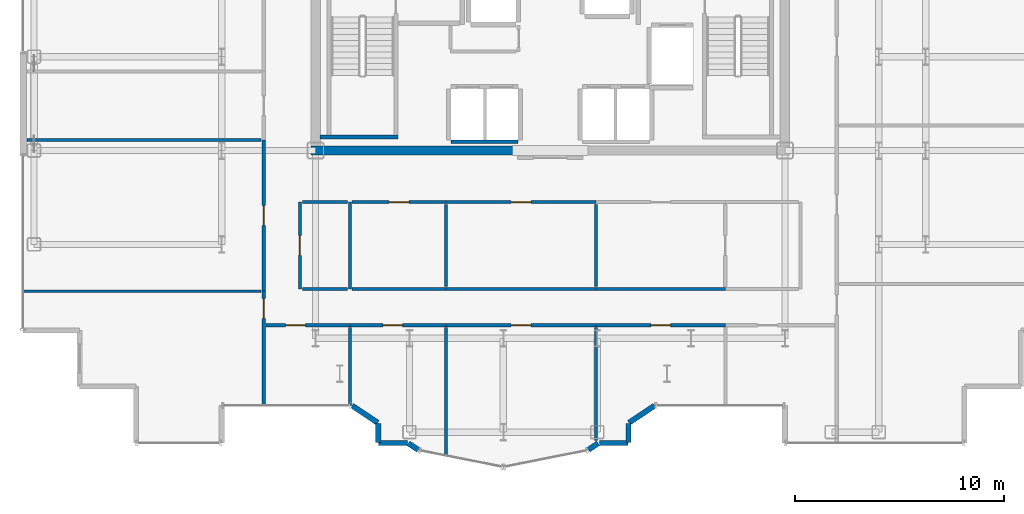
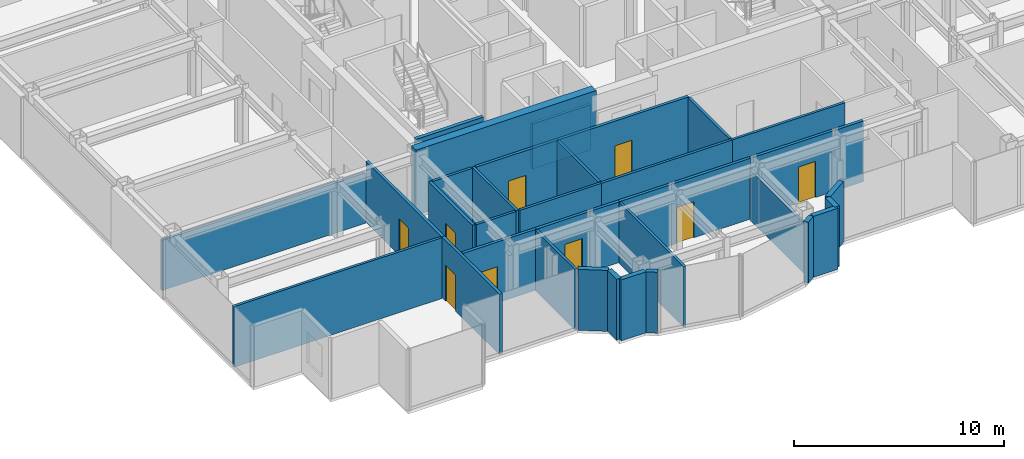
# One storey, part 15 of 21: 33 walls, 9 doors, 9 openings.
"""IFC4 building model written with IfcOpenShell, lengths in metres."""

from ifc_helpers import new_model, si_unit, direction, frame, frame_2d, origin, place, context, subcontext, project, spatial, rectangle, extrude, source, transform, mapped, material, layer, layer_set, type_object, element, fill, save


model = new_model("IFC4")

# Units and contexts
model_context = context("Model", 3, precision=1e-05, world=origin(), true_north=direction((0.0, 1.0)))
body_context = subcontext(model_context, "Body", "Model", "MODEL_VIEW")
ifc_project = project(units=[si_unit("LENGTHUNIT", "METRE"), si_unit("AREAUNIT", "SQUARE_METRE"), si_unit("VOLUMEUNIT", "CUBIC_METRE"), si_unit("PLANEANGLEUNIT", "RADIAN"), si_unit("MASSUNIT", "GRAM", prefix="KILO")], contexts=[model_context])

# Site, building, storey
site_placement = place(None, origin())
site = spatial("IfcSite", under=ifc_project, at=site_placement, CompositionType="ELEMENT")
building_placement = place(site_placement, origin())
building = spatial("IfcBuilding", under=site, at=building_placement, Name="Nefas-Gora Pilgrimage Tower", CompositionType="ELEMENT")
storey_placement = place(building_placement, frame((0.0, 0.0, 229.39990234375)))
storey = spatial("IfcBuildingStorey", under=building, at=storey_placement, Name="L57", CompositionType="ELEMENT", Elevation=229.39990234375)

# Walls
ifc_material_1 = material(Name="Concrete C50/60", Category="concrete")
ifc_layer_1 = layer(ifc_material_1, 0.449951171875)
ifc_layer_set_1 = layer_set([ifc_layer_1], Name="Concrete C50/60")
wall_type_1 = type_object("IfcWallType", Name="SW-CORE-450", PredefinedType="SHEAR", material=ifc_layer_set_1)
shared_shape_1 = source(origin(), body_context, "Body", "SweptSolid", [
    extrude(rectangle(XDim=9.925048828125, YDim=0.449951171875, at=frame_2d((4.96240234375, 0.0))), origin(), (0.0, 0.0, 1.0), 3.800048828125),
])
wall_1_placement = place(storey_placement, frame((-11.47509765625, -9.0, 0.0), z_axis=(0.0, 0.0, 1.0), x_axis=(1.0, 0.0, 0.0)))
element("IfcWall", 1, at=wall_1_placement, inside=storey, type_object=wall_type_1, Name="L57 Core Shear Wall S-West", PredefinedType="SHEAR", context=body_context, shape_type="MappedRepresentation", body=[
    mapped(shared_shape_1, transform((0.0, 0.0, 0.0), x_axis=(1.0, 0.0, 0.0), y_axis=(0.0, 1.0, 0.0), z_axis=(0.0, 0.0, 1.0), scale=1.0)),
])
ifc_material_2 = material(Name="Precast concrete C40/50", Category="concrete")
ifc_layer_2 = layer(ifc_material_2, 0.260009765625)
ifc_layer_set_2 = layer_set([ifc_layer_2], Name="Precast concrete C40/50")
wall_type_2 = type_object("IfcWallType", Name="EW-PORTAL-260", PredefinedType="SOLIDWALL", material=ifc_layer_set_2)
shared_shape_2 = source(origin(), body_context, "Body", "SweptSolid", [
    extrude(rectangle(XDim=1.468994140625, YDim=0.260009765625, at=frame_2d((0.734375, 0.0))), origin(), (0.0, 0.0, 1.0), 3.550048828125),
])
for number, where, z_axis, x_axis, name in (
    (2, (-9.49462890625, -21.235595703125, 0.0), (0.0, 0.0, 1.0), (0.831461760506, -0.555581983884, 0.0), "L57 Lobe Shoulder Precast Spandrel Pier 33"),
    (3, (3.773193359375, -22.0517578125, 0.0), (0.0, 0.0, 1.0), (0.831461760506, 0.555581983884, 0.0), "L57 Lobe Shoulder Precast Spandrel Pier 40"),
):
    element("IfcWall", number, at=place(storey_placement, frame(where, z_axis=z_axis, x_axis=x_axis)), inside=storey, type_object=wall_type_2, Name=name, PredefinedType="SOLIDWALL", context=body_context, shape_type="MappedRepresentation", body=[
        mapped(shared_shape_2, transform((0.0, 0.0, 0.0), x_axis=(1.0, 0.0, 0.0), y_axis=(0.0, 1.0, 0.0), z_axis=(0.0, 0.0, 1.0), scale=1.0)),
    ])
shared_shape_3 = source(origin(), body_context, "Body", "SweptSolid", [
    extrude(rectangle(XDim=0.896728515625, YDim=0.260009765625, at=frame_2d((0.4482421875, 0.0))), origin(), (0.0, 0.0, 1.0), 3.550048828125),
])
for number, where, z_axis, x_axis, name in (
    (4, (-8.25, -22.09521484375, 0.0), (0.0, 0.0, 1.0), (0.0, -1.0, 0.0), "L57 Lobe Shoulder Precast Spandrel Pier 34"),
    (5, (3.75, -22.991943359375, 0.0), (0.0, 0.0, 1.0), (0.0, 1.0, 0.0), "L57 Lobe Shoulder Precast Spandrel Pier 39"),
):
    element("IfcWall", number, at=place(storey_placement, frame(where, z_axis=z_axis, x_axis=x_axis)), inside=storey, type_object=wall_type_2, Name=name, PredefinedType="SOLIDWALL", context=body_context, shape_type="MappedRepresentation", body=[
        mapped(shared_shape_3, transform((0.0, 0.0, 0.0), x_axis=(1.0, 0.0, 0.0), y_axis=(0.0, 1.0, 0.0), z_axis=(0.0, 0.0, 1.0), scale=1.0)),
    ])
shared_shape_4 = source(origin(), body_context, "Body", "SweptSolid", [
    extrude(rectangle(XDim=1.369873046875, YDim=0.260009765625, at=frame_2d((0.68505859375, 0.0))), origin(), (0.0, 0.0, 1.0), 3.550048828125),
])
for number, where, z_axis, x_axis, name in (
    (6, (-8.221923828125, -23.02001953125, 0.0), (0.0, 0.0, 1.0), (1.0, 0.0, 0.0), "L57 Lobe Shoulder Precast Spandrel Pier 35"),
    (7, (2.35205078125, -23.02001953125, 0.0), (0.0, 0.0, 1.0), (1.0, 0.0, 0.0), "L57 Lobe Shoulder Precast Spandrel Pier 38"),
):
    element("IfcWall", number, at=place(storey_placement, frame(where, z_axis=z_axis, x_axis=x_axis)), inside=storey, type_object=wall_type_2, Name=name, PredefinedType="SOLIDWALL", context=body_context, shape_type="MappedRepresentation", body=[
        mapped(shared_shape_4, transform((0.0, 0.0, 0.0), x_axis=(1.0, 0.0, 0.0), y_axis=(0.0, 1.0, 0.0), z_axis=(0.0, 0.0, 1.0), scale=1.0)),
    ])
shared_shape_5 = source(origin(), body_context, "Body", "SweptSolid", [
    extrude(rectangle(XDim=0.5654296875, YDim=0.260009765625, at=frame_2d((0.28271484375, 0.0))), origin(), (0.0, 0.0, 1.0), 3.550048828125),
])
for number, where, z_axis, x_axis, name in (
    (8, (-6.80078125, -23.03564453125, 0.0), (0.0, 0.0, 1.0), (0.831651492666, -0.555297933317, 0.0), "L57 Lobe Shoulder Precast Spandrel Pier 36"),
    (9, (1.83056640625, -23.349609375, 0.0), (0.0, 0.0, 1.0), (0.831651492666, 0.555297933317, 0.0), "L57 Lobe Shoulder Precast Spandrel Pier 37"),
):
    element("IfcWall", number, at=place(storey_placement, frame(where, z_axis=z_axis, x_axis=x_axis)), inside=storey, type_object=wall_type_2, Name=name, PredefinedType="SOLIDWALL", context=body_context, shape_type="MappedRepresentation", body=[
        mapped(shared_shape_5, transform((0.0, 0.0, 0.0), x_axis=(1.0, 0.0, 0.0), y_axis=(0.0, 1.0, 0.0), z_axis=(0.0, 0.0, 1.0), scale=1.0)),
    ])
ifc_material_3 = material(Name="Concrete C45/55", Category="concrete")
ifc_layer_3 = layer(ifc_material_3, 0.199951171875)
ifc_layer_set_3 = layer_set([ifc_layer_3], Name="Concrete C45/55")
wall_type_3 = type_object("IfcWallType", Name="IW-STAIR-200", PredefinedType="SOLIDWALL", material=ifc_layer_set_3)
shared_shape_6 = source(origin(), body_context, "Body", "SweptSolid", [
    extrude(rectangle(XDim=3.72998046875, YDim=0.199951171875, at=frame_2d((1.864990234375, 0.0))), origin(), (0.0, 0.0, 1.0), 3.800048828125),
])
wall_2_placement = place(storey_placement, frame((-11.030029296875, -8.35009765625, 0.0), z_axis=(0.0, 0.0, 1.0), x_axis=(1.0, 0.0, 0.0)))
element("IfcWall", 10, at=wall_2_placement, inside=storey, type_object=wall_type_3, Name="L57 Stairwell Shear Wall ST-03-far", PredefinedType="SOLIDWALL", context=body_context, shape_type="MappedRepresentation", body=[
    mapped(shared_shape_6, transform((0.0, 0.0, 0.0), x_axis=(1.0, 0.0, 0.0), y_axis=(0.0, 1.0, 0.0), z_axis=(0.0, 0.0, 1.0), scale=1.0)),
])
ifc_material_4 = material(Name="Gypsum acoustic stud partition")
ifc_layer_4 = layer(ifc_material_4, 0.159912109375)
ifc_layer_set_4 = layer_set([ifc_layer_4], Name="Gypsum acoustic stud partition")
wall_type_4 = type_object("IfcWallType", Name="IW-CORR-160", PredefinedType="PARTITIONING", material=ifc_layer_set_4)
shared_shape_7 = source(origin(), body_context, "Body", "SweptSolid", [
    extrude(rectangle(XDim=3.199951171875, YDim=0.159912109375, at=frame_2d((1.60009765625, 0.0))), origin(), (0.0, 0.0, 1.0), 2.625),
])
wall_3_placement = place(storey_placement, frame((-4.75, -8.580078125, 0.0), z_axis=(0.0, 0.0, 1.0), x_axis=(1.0, 0.0, 0.0)))
element("IfcWall", 11, at=wall_3_placement, inside=storey, type_object=wall_type_4, Name="L57 Hoistway Wall PL2-W-S", PredefinedType="PARTITIONING", context=body_context, shape_type="MappedRepresentation", body=[
    mapped(shared_shape_7, transform((0.0, 0.0, 0.0), x_axis=(1.0, 0.0, 0.0), y_axis=(0.0, 1.0, 0.0), z_axis=(0.0, 0.0, 1.0), scale=1.0)),
])

# Wall, opening, door
shared_shape_8 = source(origin(), body_context, "Body", "SweptSolid", [
    extrude(rectangle(XDim=4.60986328125, YDim=0.159912109375, at=frame_2d((2.304931640625, 0.0))), origin(), (0.0, 0.0, 1.0), 3.53515625),
])
wall_4_placement = place(storey_placement, frame((-9.60498046875, -17.3701171875, 0.0), z_axis=(0.0, 0.0, 1.0), x_axis=(1.0, 0.0, 0.0)))
wall_4 = element("IfcWall", 12, at=wall_4_placement, inside=storey, type_object=wall_type_4, Name="L57 Pilgrim Contemplative Lounge Partition Wall 74", PredefinedType="PARTITIONING", context=body_context, shape_type="MappedRepresentation", body=[
    mapped(shared_shape_8, transform((0.0, 0.0, 0.0), x_axis=(1.0, 0.0, 0.0), y_axis=(0.0, 1.0, 0.0), z_axis=(0.0, 0.0, 1.0), scale=1.0)),
])
opening_1_placement = place(wall_4_placement, frame((1.58203125, 0.0, 0.0)))
opening_1 = element("IfcOpeningElement", 13, at=opening_1_placement, cuts=wall_4, Name="Opening ID-GR1", PredefinedType="OPENING", context=body_context, shape_type="SweptSolid", body=[
    extrude(rectangle(XDim=0.949951171875, YDim=2.10009765625, at=frame_2d((0.47509765625, 1.050048828125))), frame((0.0, 0.08984375, 0.0), z_axis=(0.0, -1.0, 0.0), x_axis=(1.0, 0.0, 0.0)), (0.0, 0.0, 1.0), 0.179931640625),
])
ifc_material_5 = material(Name="Solid core oak fire-rated guest entrance door")
door_type = type_object("IfcDoorType", Name="DR-INT-GUEST-950", OperationType="NOTDEFINED", PredefinedType="DOOR", material=ifc_material_5)
shared_shape_9 = source(origin(), body_context, "Body", "SweptSolid", [
    extrude(rectangle(XDim=0.949951171875, YDim=2.10009765625, at=frame_2d((0.47509765625, 1.050048828125))), frame((0.0, 0.02490234375, 0.0), z_axis=(0.0, -1.0, 0.0), x_axis=(1.0, 0.0, 0.0)), (0.0, 0.0, 1.0), 0.050048828125),
])
door_1_placement = place(opening_1_placement, origin())
door_1 = element("IfcDoor", 14, at=door_1_placement, inside=storey, type_object=door_type, Name="L57 Pilgrim Contemplative Lounge Door 33", OperationType="SINGLE_SWING_LEFT", OverallHeight=2.10009765625, OverallWidth=0.949951171875, PredefinedType="DOOR", context=body_context, shape_type="MappedRepresentation", body=[
    mapped(shared_shape_9, transform((0.0, 0.0, 0.0), x_axis=(1.0, 0.0, 0.0), y_axis=(0.0, 1.0, 0.0), z_axis=(0.0, 0.0, 1.0), scale=1.0)),
])
fill(opening_1, door_1)

shared_shape_10 = source(origin(), body_context, "Body", "SweptSolid", [
    extrude(rectangle(XDim=4.025146484375, YDim=0.159912109375, at=frame_2d((2.0126953125, 0.0))), origin(), (0.0, 0.0, 1.0), 3.53515625),
])
wall_5_placement = place(storey_placement, frame((-13.6201171875, -17.3701171875, 0.0), z_axis=(0.0, 0.0, 1.0), x_axis=(1.0, 0.0, 0.0)))
wall_5 = element("IfcWall", 15, at=wall_5_placement, inside=storey, type_object=wall_type_4, Name="L57 Pilgrim Contemplative Lounge Partition Wall 68", PredefinedType="PARTITIONING", context=body_context, shape_type="MappedRepresentation", body=[
    mapped(shared_shape_10, transform((0.0, 0.0, 0.0), x_axis=(1.0, 0.0, 0.0), y_axis=(0.0, 1.0, 0.0), z_axis=(0.0, 0.0, 1.0), scale=1.0)),
])
opening_2_placement = place(wall_5_placement, frame((0.933837890625, 0.0, 0.0)))
opening_2 = element("IfcOpeningElement", 16, at=opening_2_placement, cuts=wall_5, Name="Opening ID-GR1", PredefinedType="OPENING", context=body_context, shape_type="SweptSolid", body=[
    extrude(rectangle(XDim=0.949951171875, YDim=2.10009765625, at=frame_2d((0.47509765625, 1.050048828125))), frame((0.0, 0.08984375, 0.0), z_axis=(0.0, -1.0, 0.0), x_axis=(1.0, 0.0, 0.0)), (0.0, 0.0, 1.0), 0.179931640625),
])
door_2_placement = place(opening_2_placement, origin())
door_2 = element("IfcDoor", 17, at=door_2_placement, inside=storey, type_object=door_type, Name="L57 Pilgrim Contemplative Lounge Door 31", OperationType="SINGLE_SWING_LEFT", OverallHeight=2.10009765625, OverallWidth=0.949951171875, PredefinedType="DOOR", context=body_context, shape_type="MappedRepresentation", body=[
    mapped(shared_shape_9, transform((0.0, 0.0, 0.0), x_axis=(1.0, 0.0, 0.0), y_axis=(0.0, 1.0, 0.0), z_axis=(0.0, 0.0, 1.0), scale=1.0)),
])
fill(opening_2, door_2)

shared_shape_11 = source(origin(), body_context, "Body", "SweptSolid", [
    extrude(rectangle(XDim=6.2099609375, YDim=0.159912109375, at=frame_2d((3.10498046875, 0.0))), origin(), (0.0, 0.0, 1.0), 3.53515625),
])
wall_6_placement = place(storey_placement, frame((2.195068359375, -17.3701171875, 0.0), z_axis=(0.0, 0.0, 1.0), x_axis=(1.0, 0.0, 0.0)))
wall_6 = element("IfcWall", 18, at=wall_6_placement, inside=storey, type_object=wall_type_4, Name="L57 Pilgrim Contemplative Lounge Partition Wall 84", PredefinedType="PARTITIONING", context=body_context, shape_type="MappedRepresentation", body=[
    mapped(shared_shape_11, transform((0.0, 0.0, 0.0), x_axis=(1.0, 0.0, 0.0), y_axis=(0.0, 1.0, 0.0), z_axis=(0.0, 0.0, 1.0), scale=1.0)),
])
opening_3_placement = place(wall_6_placement, frame((2.6298828125, 0.0, 0.0)))
opening_3 = element("IfcOpeningElement", 19, at=opening_3_placement, cuts=wall_6, Name="Opening ID-GR1", PredefinedType="OPENING", context=body_context, shape_type="SweptSolid", body=[
    extrude(rectangle(XDim=0.949951171875, YDim=2.10009765625, at=frame_2d((0.47509765625, 1.050048828125))), frame((0.0, 0.08984375, 0.0), z_axis=(0.0, -1.0, 0.0), x_axis=(1.0, 0.0, 0.0)), (0.0, 0.0, 1.0), 0.179931640625),
])
door_3_placement = place(opening_3_placement, origin())
door_3 = element("IfcDoor", 20, at=door_3_placement, inside=storey, type_object=door_type, Name="L57 Pilgrim Contemplative Lounge Door 37", OperationType="SINGLE_SWING_LEFT", OverallHeight=2.10009765625, OverallWidth=0.949951171875, PredefinedType="DOOR", context=body_context, shape_type="MappedRepresentation", body=[
    mapped(shared_shape_9, transform((0.0, 0.0, 0.0), x_axis=(1.0, 0.0, 0.0), y_axis=(0.0, 1.0, 0.0), z_axis=(0.0, 0.0, 1.0), scale=1.0)),
])
fill(opening_3, door_3)

# Wall
ifc_material_6 = material(Name="Gypsum twin-stud partition")
ifc_layer_5 = layer(ifc_material_6, 0.139892578125)
ifc_layer_set_5 = layer_set([ifc_layer_5], Name="Gypsum twin-stud partition")
wall_type_5 = type_object("IfcWallType", Name="IW-UNIT-140", PredefinedType="PARTITIONING", material=ifc_layer_set_5)
shared_shape_12 = source(origin(), body_context, "Body", "SweptSolid", [
    extrude(rectangle(XDim=11.429931640625, YDim=0.139892578125, at=frame_2d((5.71484375, 0.0))), origin(), (0.0, 0.0, 1.0), 3.53515625),
])
wall_7_placement = place(storey_placement, frame((-25.2900390625, -15.74755859375, 0.0), z_axis=(0.0, 0.0, 1.0), x_axis=(1.0, 0.0, 0.0)))
element("IfcWall", 21, at=wall_7_placement, inside=storey, type_object=wall_type_5, Name="L57 Pilgrim Devotional Prayer Gallery Partition Wall 29", PredefinedType="PARTITIONING", context=body_context, shape_type="MappedRepresentation", body=[
    mapped(shared_shape_12, transform((0.0, 0.0, 0.0), x_axis=(1.0, 0.0, 0.0), y_axis=(0.0, 1.0, 0.0), z_axis=(0.0, 0.0, 1.0), scale=1.0)),
])

# Wall, opening, door
shared_shape_13 = source(origin(), body_context, "Body", "SweptSolid", [
    extrude(rectangle(XDim=7.242431640625, YDim=0.159912109375, at=frame_2d((3.62109375, 0.0))), origin(), (0.0, 0.0, 1.0), 3.53515625),
])
wall_8_placement = place(storey_placement, frame((-13.739990234375, -15.737548828125, 0.0), z_axis=(0.0, 0.0, 1.0), x_axis=(0.0, 1.0, 0.0)))
wall_8 = element("IfcWall", 22, at=wall_8_placement, inside=storey, type_object=wall_type_4, Name="L57 Pilgrim Devotional Prayer Gallery Partition Wall 30", PredefinedType="PARTITIONING", context=body_context, shape_type="MappedRepresentation", body=[
    mapped(shared_shape_13, transform((0.0, 0.0, 0.0), x_axis=(1.0, 0.0, 0.0), y_axis=(0.0, 1.0, 0.0), z_axis=(0.0, 0.0, 1.0), scale=1.0)),
])
opening_4_placement = place(wall_8_placement, frame((3.146240234375, 0.0, 0.0)))
opening_4 = element("IfcOpeningElement", 23, at=opening_4_placement, cuts=wall_8, Name="Opening ID-GR1", PredefinedType="OPENING", context=body_context, shape_type="SweptSolid", body=[
    extrude(rectangle(XDim=0.949951171875, YDim=2.10009765625, at=frame_2d((0.47509765625, 1.050048828125))), frame((0.0, 0.08984375, 0.0), z_axis=(0.0, -1.0, 0.0), x_axis=(1.0, 0.0, 0.0)), (0.0, 0.0, 1.0), 0.179931640625),
])
door_4_placement = place(opening_4_placement, origin())
door_4 = element("IfcDoor", 24, at=door_4_placement, inside=storey, type_object=door_type, Name="L57 Pilgrim Devotional Prayer Gallery Door 12", OperationType="SINGLE_SWING_RIGHT", OverallHeight=2.10009765625, OverallWidth=0.949951171875, PredefinedType="DOOR", context=body_context, shape_type="MappedRepresentation", body=[
    mapped(shared_shape_9, transform((0.0, 0.0, 0.0), x_axis=(1.0, 0.0, 0.0), y_axis=(0.0, 1.0, 0.0), z_axis=(0.0, 0.0, 1.0), scale=1.0)),
])
fill(opening_4, door_4)

# Walls
shared_shape_14 = source(origin(), body_context, "Body", "SweptSolid", [
    extrude(rectangle(XDim=3.929931640625, YDim=0.139892578125, at=frame_2d((1.96484375, 0.0))), origin(), (0.0, 0.0, 1.0), 3.53515625),
])
for number, where, z_axis, x_axis, name in (
    (25, (-5.0048828125, -15.52001953125, 0.0), (0.0, 0.0, 1.0), (0.0, 1.0, 0.0), "L57 Pilgrim Contemplative Lounge Partition Wall 78"),
    (26, (2.195068359375, -15.52001953125, 0.0), (0.0, 0.0, 1.0), (0.0, 1.0, 0.0), "L57 Pilgrim Contemplative Lounge Partition Wall 83"),
):
    element("IfcWall", number, at=place(storey_placement, frame(where, z_axis=z_axis, x_axis=x_axis)), inside=storey, type_object=wall_type_5, Name=name, PredefinedType="PARTITIONING", context=body_context, shape_type="MappedRepresentation", body=[
        mapped(shared_shape_14, transform((0.0, 0.0, 0.0), x_axis=(1.0, 0.0, 0.0), y_axis=(0.0, 1.0, 0.0), z_axis=(0.0, 0.0, 1.0), scale=1.0)),
    ])
shared_shape_15 = source(origin(), body_context, "Body", "SweptSolid", [
    extrude(rectangle(XDim=6.15673828125, YDim=0.139892578125, at=frame_2d((3.078369140625, 0.0))), origin(), (0.0, 0.0, 1.0), 3.53515625),
])
wall_9_placement = place(storey_placement, frame((-5.0048828125, -23.646728515625, 0.0), z_axis=(0.0, 0.0, 1.0), x_axis=(0.0, 1.0, 0.0)))
element("IfcWall", 27, at=wall_9_placement, inside=storey, type_object=wall_type_5, Name="L57 Pilgrim Contemplative Lounge Partition Wall 75", PredefinedType="PARTITIONING", context=body_context, shape_type="MappedRepresentation", body=[
    mapped(shared_shape_15, transform((0.0, 0.0, 0.0), x_axis=(1.0, 0.0, 0.0), y_axis=(0.0, 1.0, 0.0), z_axis=(0.0, 0.0, 1.0), scale=1.0)),
])
shared_shape_16 = source(origin(), body_context, "Body", "SweptSolid", [
    extrude(rectangle(XDim=3.75, YDim=0.139892578125, at=frame_2d((1.875, 0.0))), origin(), (0.0, 0.0, 1.0), 3.53515625),
])
wall_10_placement = place(storey_placement, frame((-9.60498046875, -21.239990234375, 0.0), z_axis=(0.0, 0.0, 1.0), x_axis=(0.0, 1.0, 0.0)))
element("IfcWall", 28, at=wall_10_placement, inside=storey, type_object=wall_type_5, Name="L57 Pilgrim Contemplative Lounge Partition Wall 69", PredefinedType="PARTITIONING", context=body_context, shape_type="MappedRepresentation", body=[
    mapped(shared_shape_16, transform((0.0, 0.0, 0.0), x_axis=(1.0, 0.0, 0.0), y_axis=(0.0, 1.0, 0.0), z_axis=(0.0, 0.0, 1.0), scale=1.0)),
])
shared_shape_17 = source(origin(), body_context, "Body", "SweptSolid", [
    extrude(rectangle(XDim=4.179931640625, YDim=0.139892578125, at=frame_2d((2.08984375, 0.0))), origin(), (0.0, 0.0, 1.0), 3.53515625),
])
wall_11_placement = place(storey_placement, frame((-9.60498046875, -15.639892578125, 0.0), z_axis=(0.0, 0.0, 1.0), x_axis=(0.0, 1.0, 0.0)))
element("IfcWall", 29, at=wall_11_placement, inside=storey, type_object=wall_type_5, Name="L57 Pilgrim Contemplative Lounge Partition Wall 71", PredefinedType="PARTITIONING", context=body_context, shape_type="MappedRepresentation", body=[
    mapped(shared_shape_17, transform((0.0, 0.0, 0.0), x_axis=(1.0, 0.0, 0.0), y_axis=(0.0, 1.0, 0.0), z_axis=(0.0, 0.0, 1.0), scale=1.0)),
])

# Wall, opening, door
shared_shape_18 = source(origin(), body_context, "Body", "SweptSolid", [
    extrude(rectangle(XDim=4.179931640625, YDim=0.159912109375, at=frame_2d((2.08984375, 0.0))), origin(), (0.0, 0.0, 1.0), 3.53515625),
])
wall_12_placement = place(storey_placement, frame((-12.0, -15.639892578125, 0.0), z_axis=(0.0, 0.0, 1.0), x_axis=(0.0, 1.0, 0.0)))
wall_12 = element("IfcWall", 30, at=wall_12_placement, inside=storey, type_object=wall_type_4, Name="L57 Pilgrim Contemplative Lounge Partition Wall 70", PredefinedType="PARTITIONING", context=body_context, shape_type="MappedRepresentation", body=[
    mapped(shared_shape_18, transform((0.0, 0.0, 0.0), x_axis=(1.0, 0.0, 0.0), y_axis=(0.0, 1.0, 0.0), z_axis=(0.0, 0.0, 1.0), scale=1.0)),
])
opening_5_placement = place(wall_12_placement, frame((1.614990234375, 0.0, 0.0)))
opening_5 = element("IfcOpeningElement", 31, at=opening_5_placement, cuts=wall_12, Name="Opening ID-GR1", PredefinedType="OPENING", context=body_context, shape_type="SweptSolid", body=[
    extrude(rectangle(XDim=0.949951171875, YDim=2.10009765625, at=frame_2d((0.47509765625, 1.050048828125))), frame((0.0, 0.08984375, 0.0), z_axis=(0.0, -1.0, 0.0), x_axis=(1.0, 0.0, 0.0)), (0.0, 0.0, 1.0), 0.179931640625),
])
door_5_placement = place(opening_5_placement, origin())
door_5 = element("IfcDoor", 32, at=door_5_placement, inside=storey, type_object=door_type, Name="L57 Pilgrim Contemplative Lounge Door 32", OperationType="SINGLE_SWING_RIGHT", OverallHeight=2.10009765625, OverallWidth=0.949951171875, PredefinedType="DOOR", context=body_context, shape_type="MappedRepresentation", body=[
    mapped(shared_shape_9, transform((0.0, 0.0, 0.0), x_axis=(1.0, 0.0, 0.0), y_axis=(0.0, 1.0, 0.0), z_axis=(0.0, 0.0, 1.0), scale=1.0)),
])
fill(opening_5, door_5)

shared_shape_19 = source(origin(), body_context, "Body", "SweptSolid", [
    extrude(rectangle(XDim=4.5, YDim=0.159912109375, at=frame_2d((2.25, 0.0))), origin(), (0.0, 0.0, 1.0), 3.53515625),
])
wall_13_placement = place(storey_placement, frame((-9.4951171875, -11.469970703125, 0.0), z_axis=(0.0, 0.0, 1.0), x_axis=(1.0, 0.0, 0.0)))
wall_13 = element("IfcWall", 33, at=wall_13_placement, inside=storey, type_object=wall_type_4, Name="L57 Pilgrim Contemplative Lounge Partition Wall 76", PredefinedType="PARTITIONING", context=body_context, shape_type="MappedRepresentation", body=[
    mapped(shared_shape_19, transform((0.0, 0.0, 0.0), x_axis=(1.0, 0.0, 0.0), y_axis=(0.0, 1.0, 0.0), z_axis=(0.0, 0.0, 1.0), scale=1.0)),
])
opening_6_placement = place(wall_13_placement, frame((1.77490234375, 0.0, 0.0)))
opening_6 = element("IfcOpeningElement", 34, at=opening_6_placement, cuts=wall_13, Name="Opening ID-GR1", PredefinedType="OPENING", context=body_context, shape_type="SweptSolid", body=[
    extrude(rectangle(XDim=0.949951171875, YDim=2.10009765625, at=frame_2d((0.47509765625, 1.050048828125))), frame((0.0, 0.08984375, 0.0), z_axis=(0.0, -1.0, 0.0), x_axis=(1.0, 0.0, 0.0)), (0.0, 0.0, 1.0), 0.179931640625),
])
door_6_placement = place(opening_6_placement, origin())
door_6 = element("IfcDoor", 35, at=door_6_placement, inside=storey, type_object=door_type, Name="L57 Pilgrim Contemplative Lounge Door 34", OperationType="SINGLE_SWING_RIGHT", OverallHeight=2.10009765625, OverallWidth=0.949951171875, PredefinedType="DOOR", context=body_context, shape_type="MappedRepresentation", body=[
    mapped(shared_shape_9, transform((0.0, 0.0, 0.0), x_axis=(1.0, 0.0, 0.0), y_axis=(0.0, 1.0, 0.0), z_axis=(0.0, 0.0, 1.0), scale=1.0)),
])
fill(opening_6, door_6)

# Wall
shared_shape_20 = source(origin(), body_context, "Body", "SweptSolid", [
    extrude(rectangle(XDim=4.5, YDim=0.139892578125, at=frame_2d((2.25, 0.0))), origin(), (0.0, 0.0, 1.0), 3.53515625),
])
wall_14_placement = place(storey_placement, frame((-9.4951171875, -15.6298828125, 0.0), z_axis=(0.0, 0.0, 1.0), x_axis=(1.0, 0.0, 0.0)))
element("IfcWall", 36, at=wall_14_placement, inside=storey, type_object=wall_type_5, Name="L57 Pilgrim Contemplative Lounge Partition Wall 77", PredefinedType="PARTITIONING", context=body_context, shape_type="MappedRepresentation", body=[
    mapped(shared_shape_20, transform((0.0, 0.0, 0.0), x_axis=(1.0, 0.0, 0.0), y_axis=(0.0, 1.0, 0.0), z_axis=(0.0, 0.0, 1.0), scale=1.0)),
])

# Wall, opening, door
shared_shape_21 = source(origin(), body_context, "Body", "SweptSolid", [
    extrude(rectangle(XDim=7.2099609375, YDim=0.159912109375, at=frame_2d((3.60498046875, 0.0))), origin(), (0.0, 0.0, 1.0), 3.53515625),
])
wall_15_placement = place(storey_placement, frame((-5.0048828125, -17.3701171875, 0.0), z_axis=(0.0, 0.0, 1.0), x_axis=(1.0, 0.0, 0.0)))
wall_15 = element("IfcWall", 37, at=wall_15_placement, inside=storey, type_object=wall_type_4, Name="L57 Pilgrim Contemplative Lounge Partition Wall 79", PredefinedType="PARTITIONING", context=body_context, shape_type="MappedRepresentation", body=[
    mapped(shared_shape_21, transform((0.0, 0.0, 0.0), x_axis=(1.0, 0.0, 0.0), y_axis=(0.0, 1.0, 0.0), z_axis=(0.0, 0.0, 1.0), scale=1.0)),
])
opening_7_placement = place(wall_15_placement, frame((3.1298828125, 0.0, 0.0)))
opening_7 = element("IfcOpeningElement", 38, at=opening_7_placement, cuts=wall_15, Name="Opening ID-GR1", PredefinedType="OPENING", context=body_context, shape_type="SweptSolid", body=[
    extrude(rectangle(XDim=0.949951171875, YDim=2.10009765625, at=frame_2d((0.47509765625, 1.050048828125))), frame((0.0, 0.08984375, 0.0), z_axis=(0.0, -1.0, 0.0), x_axis=(1.0, 0.0, 0.0)), (0.0, 0.0, 1.0), 0.179931640625),
])
door_7_placement = place(opening_7_placement, origin())
door_7 = element("IfcDoor", 39, at=door_7_placement, inside=storey, type_object=door_type, Name="L57 Pilgrim Contemplative Lounge Door 35", OperationType="SINGLE_SWING_LEFT", OverallHeight=2.10009765625, OverallWidth=0.949951171875, PredefinedType="DOOR", context=body_context, shape_type="MappedRepresentation", body=[
    mapped(shared_shape_9, transform((0.0, 0.0, 0.0), x_axis=(1.0, 0.0, 0.0), y_axis=(0.0, 1.0, 0.0), z_axis=(0.0, 0.0, 1.0), scale=1.0)),
])
fill(opening_7, door_7)

wall_16_placement = place(storey_placement, frame((-5.0048828125, -11.469970703125, 0.0), z_axis=(0.0, 0.0, 1.0), x_axis=(1.0, 0.0, 0.0)))
wall_16 = element("IfcWall", 40, at=wall_16_placement, inside=storey, type_object=wall_type_4, Name="L57 Pilgrim Contemplative Lounge Partition Wall 81", PredefinedType="PARTITIONING", context=body_context, shape_type="MappedRepresentation", body=[
    mapped(shared_shape_21, transform((0.0, 0.0, 0.0), x_axis=(1.0, 0.0, 0.0), y_axis=(0.0, 1.0, 0.0), z_axis=(0.0, 0.0, 1.0), scale=1.0)),
])
opening_8_placement = place(wall_16_placement, frame((3.1298828125, 0.0, 0.0)))
opening_8 = element("IfcOpeningElement", 41, at=opening_8_placement, cuts=wall_16, Name="Opening ID-GR1", PredefinedType="OPENING", context=body_context, shape_type="SweptSolid", body=[
    extrude(rectangle(XDim=0.949951171875, YDim=2.10009765625, at=frame_2d((0.47509765625, 1.050048828125))), frame((0.0, 0.08984375, 0.0), z_axis=(0.0, -1.0, 0.0), x_axis=(1.0, 0.0, 0.0)), (0.0, 0.0, 1.0), 0.179931640625),
])
door_8_placement = place(opening_8_placement, origin())
door_8 = element("IfcDoor", 42, at=door_8_placement, inside=storey, type_object=door_type, Name="L57 Pilgrim Contemplative Lounge Door 36", OperationType="SINGLE_SWING_RIGHT", OverallHeight=2.10009765625, OverallWidth=0.949951171875, PredefinedType="DOOR", context=body_context, shape_type="MappedRepresentation", body=[
    mapped(shared_shape_9, transform((0.0, 0.0, 0.0), x_axis=(1.0, 0.0, 0.0), y_axis=(0.0, 1.0, 0.0), z_axis=(0.0, 0.0, 1.0), scale=1.0)),
])
fill(opening_8, door_8)

# Wall
shared_shape_22 = source(origin(), body_context, "Body", "SweptSolid", [
    extrude(rectangle(XDim=7.2099609375, YDim=0.139892578125, at=frame_2d((3.60498046875, 0.0))), origin(), (0.0, 0.0, 1.0), 3.53515625),
])
wall_17_placement = place(storey_placement, frame((-5.0048828125, -15.6298828125, 0.0), z_axis=(0.0, 0.0, 1.0), x_axis=(1.0, 0.0, 0.0)))
element("IfcWall", 43, at=wall_17_placement, inside=storey, type_object=wall_type_5, Name="L57 Pilgrim Contemplative Lounge Partition Wall 82", PredefinedType="PARTITIONING", context=body_context, shape_type="MappedRepresentation", body=[
    mapped(shared_shape_22, transform((0.0, 0.0, 0.0), x_axis=(1.0, 0.0, 0.0), y_axis=(0.0, 1.0, 0.0), z_axis=(0.0, 0.0, 1.0), scale=1.0)),
])

# Wall, opening, door
shared_shape_23 = source(origin(), body_context, "Body", "SweptSolid", [
    extrude(rectangle(XDim=5.50244140625, YDim=0.159912109375, at=frame_2d((2.751220703125, 0.0))), origin(), (0.0, 0.0, 1.0), 3.53515625),
])
wall_18_placement = place(storey_placement, frame((-13.739990234375, -21.239990234375, 0.0), z_axis=(0.0, 0.0, 1.0), x_axis=(0.0, 1.0, 0.0)))
wall_18 = element("IfcWall", 44, at=wall_18_placement, inside=storey, type_object=wall_type_4, Name="L57 Pilgrim Devotional Prayer Gallery Partition Wall 28", PredefinedType="PARTITIONING", context=body_context, shape_type="MappedRepresentation", body=[
    mapped(shared_shape_23, transform((0.0, 0.0, 0.0), x_axis=(1.0, 0.0, 0.0), y_axis=(0.0, 1.0, 0.0), z_axis=(0.0, 0.0, 1.0), scale=1.0)),
])
opening_9_placement = place(wall_18_placement, frame((4.191162109375, 0.0, 0.0)))
opening_9 = element("IfcOpeningElement", 45, at=opening_9_placement, cuts=wall_18, Name="Opening ID-GR1", PredefinedType="OPENING", context=body_context, shape_type="SweptSolid", body=[
    extrude(rectangle(XDim=0.949951171875, YDim=2.10009765625, at=frame_2d((0.47509765625, 1.050048828125))), frame((0.0, 0.08984375, 0.0), z_axis=(0.0, -1.0, 0.0), x_axis=(1.0, 0.0, 0.0)), (0.0, 0.0, 1.0), 0.179931640625),
])
door_9_placement = place(opening_9_placement, origin())
door_9 = element("IfcDoor", 46, at=door_9_placement, inside=storey, type_object=door_type, Name="L57 Pilgrim Devotional Prayer Gallery Door 11", OperationType="SINGLE_SWING_LEFT", OverallHeight=2.10009765625, OverallWidth=0.949951171875, PredefinedType="DOOR", context=body_context, shape_type="MappedRepresentation", body=[
    mapped(shared_shape_9, transform((0.0, 0.0, 0.0), x_axis=(1.0, 0.0, 0.0), y_axis=(0.0, 1.0, 0.0), z_axis=(0.0, 0.0, 1.0), scale=1.0)),
])
fill(opening_9, door_9)

# Walls
shared_shape_24 = source(origin(), body_context, "Body", "SweptSolid", [
    extrude(rectangle(XDim=11.219970703125, YDim=0.139892578125, at=frame_2d((5.60986328125, 0.0))), origin(), (0.0, 0.0, 1.0), 2.925048828125),
])
wall_19_placement = place(storey_placement, frame((-25.080078125, -8.5048828125, 0.0), z_axis=(0.0, 0.0, 1.0), x_axis=(1.0, 0.0, 0.0)))
element("IfcWall", 47, at=wall_19_placement, inside=storey, type_object=wall_type_5, Name="L57 Pilgrim Devotional Prayer Gallery Partition Wall 31", PredefinedType="PARTITIONING", context=body_context, shape_type="MappedRepresentation", body=[
    mapped(shared_shape_24, transform((0.0, 0.0, 0.0), x_axis=(1.0, 0.0, 0.0), y_axis=(0.0, 1.0, 0.0), z_axis=(0.0, 0.0, 1.0), scale=1.0)),
])
shared_shape_25 = source(origin(), body_context, "Body", "SweptSolid", [
    extrude(rectangle(XDim=2.164794921875, YDim=0.139892578125, at=frame_2d((1.08251953125, 0.0))), origin(), (0.0, 0.0, 1.0), 3.53515625),
])
for number, where, z_axis, x_axis, name in (
    (48, (-11.8798828125, -11.469970703125, 0.0), (0.0, 0.0, 1.0), (1.0, 0.0, 0.0), "L57 Pilgrim Contemplative Lounge Partition Wall 72"),
    (49, (-11.8798828125, -15.6298828125, 0.0), (0.0, 0.0, 1.0), (1.0, 0.0, 0.0), "L57 Pilgrim Contemplative Lounge Partition Wall 73"),
):
    element("IfcWall", number, at=place(storey_placement, frame(where, z_axis=z_axis, x_axis=x_axis)), inside=storey, type_object=wall_type_5, Name=name, PredefinedType="PARTITIONING", context=body_context, shape_type="MappedRepresentation", body=[
        mapped(shared_shape_25, transform((0.0, 0.0, 0.0), x_axis=(1.0, 0.0, 0.0), y_axis=(0.0, 1.0, 0.0), z_axis=(0.0, 0.0, 1.0), scale=1.0)),
    ])
shared_shape_26 = source(origin(), body_context, "Body", "SweptSolid", [
    extrude(rectangle(XDim=5.414306640625, YDim=0.139892578125, at=frame_2d((2.70703125, 0.0))), origin(), (0.0, 0.0, 1.0), 2.925048828125),
])
wall_20_placement = place(storey_placement, frame((2.195068359375, -22.904296875, 0.0), z_axis=(0.0, 0.0, 1.0), x_axis=(0.0, 1.0, 0.0)))
element("IfcWall", 50, at=wall_20_placement, inside=storey, type_object=wall_type_5, Name="L57 Pilgrim Contemplative Lounge Partition Wall 80", PredefinedType="PARTITIONING", context=body_context, shape_type="MappedRepresentation", body=[
    mapped(shared_shape_26, transform((0.0, 0.0, 0.0), x_axis=(1.0, 0.0, 0.0), y_axis=(0.0, 1.0, 0.0), z_axis=(0.0, 0.0, 1.0), scale=1.0)),
])
shared_shape_27 = source(origin(), body_context, "Body", "SweptSolid", [
    extrude(rectangle(XDim=6.2099609375, YDim=0.139892578125, at=frame_2d((3.10498046875, 0.0))), origin(), (0.0, 0.0, 1.0), 3.53515625),
])
wall_21_placement = place(storey_placement, frame((2.195068359375, -15.6298828125, 0.0), z_axis=(0.0, 0.0, 1.0), x_axis=(1.0, 0.0, 0.0)))
element("IfcWall", 51, at=wall_21_placement, inside=storey, type_object=wall_type_5, Name="L57 Pilgrim Contemplative Lounge Partition Wall 87", PredefinedType="PARTITIONING", context=body_context, shape_type="MappedRepresentation", body=[
    mapped(shared_shape_27, transform((0.0, 0.0, 0.0), x_axis=(1.0, 0.0, 0.0), y_axis=(0.0, 1.0, 0.0), z_axis=(0.0, 0.0, 1.0), scale=1.0)),
])

save(model, "model.ifc")
